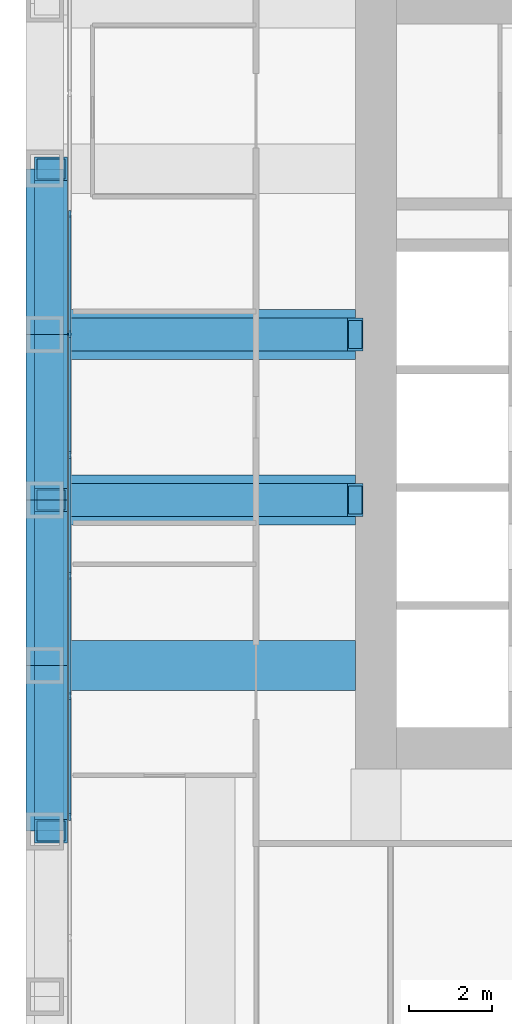
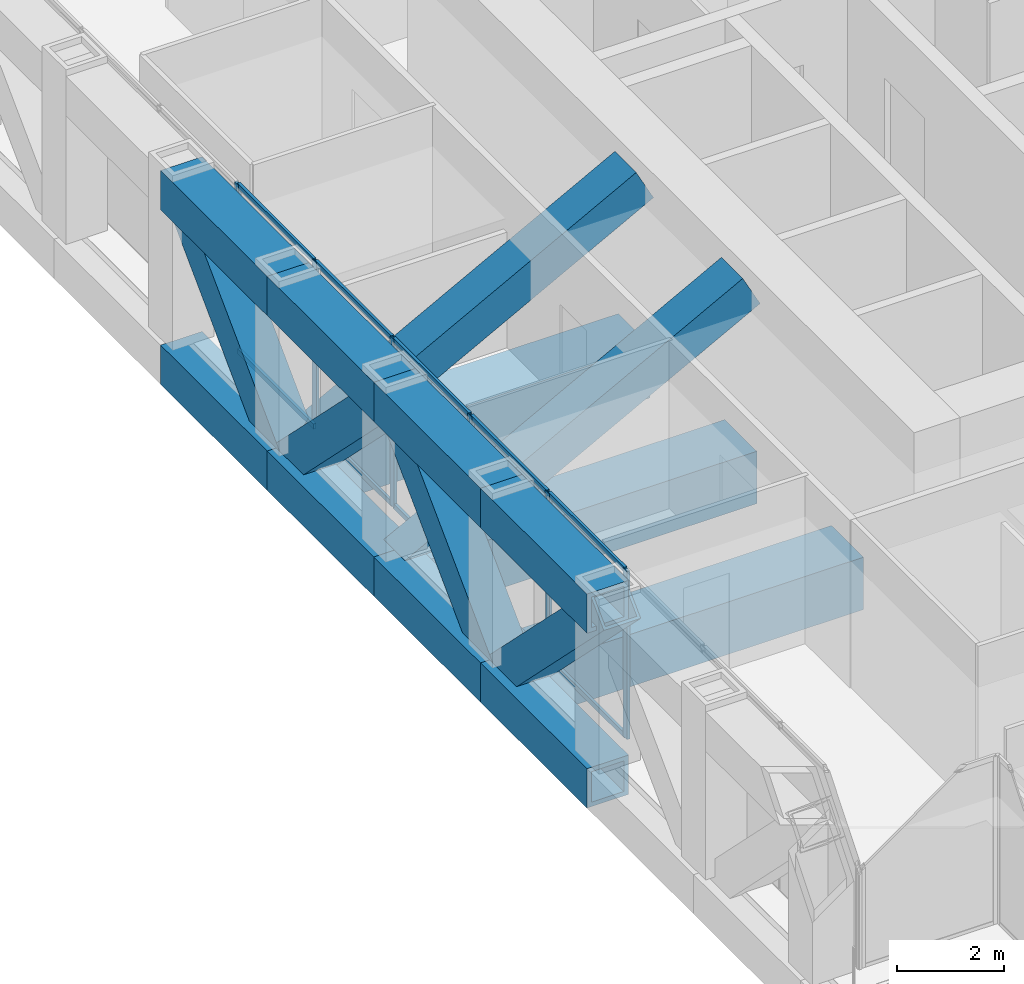
# One storey, part 4 of 18: 22 members, 11 beams, 1 element without a shape of its own.
"""IFC4 building model written with IfcOpenShell, lengths in metres."""

from ifc_helpers import new_model, si_unit, direction, frame, origin, origin_2d, place, context, subcontext, project, spatial, rectangle, hollow_rectangle, extrude, material, material_profile, profile_set, type_object, element, aggregate, save


model = new_model("IFC4")

# Units and contexts
model_context = context("Model", 3, precision=1e-05, world=origin(), true_north=direction((0.0, 1.0)))
body_context = subcontext(model_context, "Body", "Model", "MODEL_VIEW")
ifc_project = project(units=[si_unit("LENGTHUNIT", "METRE"), si_unit("AREAUNIT", "SQUARE_METRE"), si_unit("VOLUMEUNIT", "CUBIC_METRE"), si_unit("PLANEANGLEUNIT", "RADIAN"), si_unit("MASSUNIT", "GRAM", prefix="KILO")], contexts=[model_context])

# Site, building, storey
site_placement = place(None, origin())
site = spatial("IfcSite", under=ifc_project, at=site_placement, CompositionType="ELEMENT")
building_placement = place(site_placement, origin())
building = spatial("IfcBuilding", under=site, at=building_placement, Name="Rimbunsela Tower", CompositionType="ELEMENT")
storey_placement = place(building_placement, frame((0.0, 0.0, 105.39990234375)))
storey = spatial("IfcBuildingStorey", under=building, at=storey_placement, Name="L25", CompositionType="ELEMENT", Elevation=105.39990234375)

# Beams
ifc_material_1 = material(Name="Steel BJ 55 (fy 410 MPa)", Category="steel")
ifc_material_profile_1 = material_profile(ifc_material_1, hollow_rectangle(XDim=1.199951171875, YDim=1.199951171875, WallThickness=0.125, at=origin_2d()), Name="BOX 1200x1200x125")
ifc_profile_set_1 = profile_set([ifc_material_profile_1], Name="Steel BJ 55 (fy 410 MPa)")
beam_type_1 = type_object("IfcBeamType", Name="Beam BOX 1200x1200x125", PredefinedType="BEAM", material=ifc_profile_set_1)
for number, where, z_axis, x_axis, name in (
    (1, (10.0, 20.0, -0.75), (1.0, 0.0, 0.0), (0.0, 1.0, 0.0), "Beam B4 L25"),
    (2, (10.0, 24.0, -0.75), (1.0, 0.0, 0.0), (0.0, 1.0, 0.0), "Beam B4 L25"),
    (3, (10.0, 28.0, -0.75), (1.0, 0.0, 0.0), (0.0, 1.0, 0.0), "Beam B4 L25"),
):
    element("IfcBeam", number, at=place(storey_placement, frame(where, z_axis=z_axis, x_axis=x_axis)), inside=storey, type_object=beam_type_1, Name=name, PredefinedType="BEAM", context=body_context, shape_type="SweptSolid", body=[
        extrude(hollow_rectangle(XDim=1.199951171875, YDim=1.199951171875, WallThickness=0.125, at=origin_2d()), origin(), (0.0, 0.0, 1.0), 7.5),
    ])

# Curtain wall, members
ifc_material_2 = material(Name="Aluminium curtain wall", Category="aluminium")
curtain_wall_type = type_object("IfcCurtainWallType", Name="Exoskeleton storey infill", PredefinedType="USERDEFINED", material=ifc_material_2)
curtain_wall_placement = place(storey_placement, origin())
curtain_wall = element("IfcCurtainWall", 4, at=curtain_wall_placement, inside=storey, type_object=curtain_wall_type, Name="Exoskeleton storey infill L25", ObjectType="EXOSKELETON STOREY INFILL", PredefinedType="USERDEFINED")
ifc_material_3 = material(Name="Aluminium mullion", Category="aluminium")
ifc_material_profile_2 = material_profile(ifc_material_3, rectangle(XDim=0.06005859375, YDim=0.159912109375, at=origin_2d()), Name="Mullion 60x160")
ifc_profile_set_2 = profile_set([ifc_material_profile_2], Name="Aluminium mullion")
member_type_1 = type_object("IfcMemberType", Name="Curtain wall mullion 60x160", PredefinedType="MULLION", material=ifc_profile_set_2)
member_1_placement = place(storey_placement, frame((10.60009765625, 30.914306640625, 0.0), z_axis=(0.0, 0.0, 1.0), x_axis=(1.0, 0.0, 0.0)))
member_1 = element("IfcMember", 5, at=member_1_placement, type_object=member_type_1, Name="CW2 mullion 7", PredefinedType="MULLION", context=body_context, shape_type="SweptSolid", body=[
    extrude(rectangle(XDim=0.06005859375, YDim=0.159912109375, at=origin_2d()), origin(), (0.0, 0.0, 1.0), 3.85009765625),
])
member_2_placement = place(storey_placement, frame((10.60009765625, 28.0, 0.0), z_axis=(0.0, 0.0, 1.0), x_axis=(1.0, 0.0, 0.0)))
member_2 = element("IfcMember", 6, at=member_2_placement, type_object=member_type_1, Name="CW2 mullion 8", PredefinedType="MULLION", context=body_context, shape_type="SweptSolid", body=[
    extrude(rectangle(XDim=0.06005859375, YDim=0.159912109375, at=origin_2d()), origin(), (0.0, 0.0, 1.0), 3.85009765625),
])
member_3_placement = place(storey_placement, frame((10.60009765625, 25.085693359375, 0.0), z_axis=(0.0, 0.0, 1.0), x_axis=(1.0, 0.0, 0.0)))
member_3 = element("IfcMember", 7, at=member_3_placement, type_object=member_type_1, Name="CW2 mullion 9", PredefinedType="MULLION", context=body_context, shape_type="SweptSolid", body=[
    extrude(rectangle(XDim=0.06005859375, YDim=0.159912109375, at=origin_2d()), origin(), (0.0, 0.0, 1.0), 3.85009765625),
])
member_4_placement = place(storey_placement, frame((10.60009765625, 22.17138671875, 0.0), z_axis=(0.0, 0.0, 1.0), x_axis=(1.0, 0.0, 0.0)))
member_4 = element("IfcMember", 8, at=member_4_placement, type_object=member_type_1, Name="CW2 mullion 10", PredefinedType="MULLION", context=body_context, shape_type="SweptSolid", body=[
    extrude(rectangle(XDim=0.06005859375, YDim=0.159912109375, at=origin_2d()), origin(), (0.0, 0.0, 1.0), 3.85009765625),
])
member_5_placement = place(storey_placement, frame((10.60009765625, 19.257080078125, 0.0), z_axis=(0.0, 0.0, 1.0), x_axis=(1.0, 0.0, 0.0)))
member_5 = element("IfcMember", 9, at=member_5_placement, type_object=member_type_1, Name="CW2 mullion 11", PredefinedType="MULLION", context=body_context, shape_type="SweptSolid", body=[
    extrude(rectangle(XDim=0.06005859375, YDim=0.159912109375, at=origin_2d()), origin(), (0.0, 0.0, 1.0), 3.85009765625),
])
member_6_placement = place(storey_placement, frame((10.60009765625, 16.3427734375, 0.0), z_axis=(0.0, 0.0, 1.0), x_axis=(1.0, 0.0, 0.0)))
member_6 = element("IfcMember", 10, at=member_6_placement, type_object=member_type_1, Name="CW2 mullion 12", PredefinedType="MULLION", context=body_context, shape_type="SweptSolid", body=[
    extrude(rectangle(XDim=0.06005859375, YDim=0.159912109375, at=origin_2d()), origin(), (0.0, 0.0, 1.0), 3.85009765625),
])
ifc_material_4 = material(Name="Aluminium transom", Category="aluminium")
ifc_material_profile_3 = material_profile(ifc_material_4, rectangle(XDim=0.06005859375, YDim=0.1201171875, at=origin_2d()), Name="Transom 60x120")
ifc_profile_set_3 = profile_set([ifc_material_profile_3], Name="Aluminium transom")
member_type_2 = type_object("IfcMemberType", Name="Curtain wall transom 60x120", PredefinedType="USERDEFINED", material=ifc_profile_set_3)
member_7_placement = place(storey_placement, frame((10.60009765625, 30.88427734375, 0.030029296875), z_axis=(0.0, -1.0, 0.0), x_axis=(1.0, 0.0, 0.0)))
member_7 = element("IfcMember", 11, at=member_7_placement, type_object=member_type_2, Name="CW2 transom 7.1", ObjectType="TRANSOM", PredefinedType="USERDEFINED", context=body_context, shape_type="SweptSolid", body=[
    extrude(rectangle(XDim=0.06005859375, YDim=0.1201171875, at=origin_2d()), origin(), (0.0, 0.0, 1.0), 2.854248046875),
])
member_8_placement = place(storey_placement, frame((10.60009765625, 30.88427734375, 3.820068359375), z_axis=(0.0, -1.0, 0.0), x_axis=(1.0, 0.0, 0.0)))
member_8 = element("IfcMember", 12, at=member_8_placement, type_object=member_type_2, Name="CW2 transom 7.2", ObjectType="TRANSOM", PredefinedType="USERDEFINED", context=body_context, shape_type="SweptSolid", body=[
    extrude(rectangle(XDim=0.06005859375, YDim=0.1201171875, at=origin_2d()), origin(), (0.0, 0.0, 1.0), 2.854248046875),
])
member_9_placement = place(storey_placement, frame((10.60009765625, 27.969970703125, 0.030029296875), z_axis=(0.0, -1.0, 0.0), x_axis=(1.0, 0.0, 0.0)))
member_9 = element("IfcMember", 13, at=member_9_placement, type_object=member_type_2, Name="CW2 transom 8.1", ObjectType="TRANSOM", PredefinedType="USERDEFINED", context=body_context, shape_type="SweptSolid", body=[
    extrude(rectangle(XDim=0.06005859375, YDim=0.1201171875, at=origin_2d()), origin(), (0.0, 0.0, 1.0), 2.854248046875),
])
member_10_placement = place(storey_placement, frame((10.60009765625, 27.969970703125, 3.820068359375), z_axis=(0.0, -1.0, 0.0), x_axis=(1.0, 0.0, 0.0)))
member_10 = element("IfcMember", 14, at=member_10_placement, type_object=member_type_2, Name="CW2 transom 8.2", ObjectType="TRANSOM", PredefinedType="USERDEFINED", context=body_context, shape_type="SweptSolid", body=[
    extrude(rectangle(XDim=0.06005859375, YDim=0.1201171875, at=origin_2d()), origin(), (0.0, 0.0, 1.0), 2.854248046875),
])
member_11_placement = place(storey_placement, frame((10.60009765625, 25.0556640625, 0.030029296875), z_axis=(0.0, -1.0, 0.0), x_axis=(1.0, 0.0, 0.0)))
member_11 = element("IfcMember", 15, at=member_11_placement, type_object=member_type_2, Name="CW2 transom 9.1", ObjectType="TRANSOM", PredefinedType="USERDEFINED", context=body_context, shape_type="SweptSolid", body=[
    extrude(rectangle(XDim=0.06005859375, YDim=0.1201171875, at=origin_2d()), origin(), (0.0, 0.0, 1.0), 2.854248046875),
])
member_12_placement = place(storey_placement, frame((10.60009765625, 25.0556640625, 3.820068359375), z_axis=(0.0, -1.0, 0.0), x_axis=(1.0, 0.0, 0.0)))
member_12 = element("IfcMember", 16, at=member_12_placement, type_object=member_type_2, Name="CW2 transom 9.2", ObjectType="TRANSOM", PredefinedType="USERDEFINED", context=body_context, shape_type="SweptSolid", body=[
    extrude(rectangle(XDim=0.06005859375, YDim=0.1201171875, at=origin_2d()), origin(), (0.0, 0.0, 1.0), 2.854248046875),
])
member_13_placement = place(storey_placement, frame((10.60009765625, 22.141357421875, 0.030029296875), z_axis=(0.0, -1.0, 0.0), x_axis=(1.0, 0.0, 0.0)))
member_13 = element("IfcMember", 17, at=member_13_placement, type_object=member_type_2, Name="CW2 transom 10.1", ObjectType="TRANSOM", PredefinedType="USERDEFINED", context=body_context, shape_type="SweptSolid", body=[
    extrude(rectangle(XDim=0.06005859375, YDim=0.1201171875, at=origin_2d()), origin(), (0.0, 0.0, 1.0), 2.854248046875),
])
member_14_placement = place(storey_placement, frame((10.60009765625, 22.141357421875, 3.820068359375), z_axis=(0.0, -1.0, 0.0), x_axis=(1.0, 0.0, 0.0)))
member_14 = element("IfcMember", 18, at=member_14_placement, type_object=member_type_2, Name="CW2 transom 10.2", ObjectType="TRANSOM", PredefinedType="USERDEFINED", context=body_context, shape_type="SweptSolid", body=[
    extrude(rectangle(XDim=0.06005859375, YDim=0.1201171875, at=origin_2d()), origin(), (0.0, 0.0, 1.0), 2.854248046875),
])
member_15_placement = place(storey_placement, frame((10.60009765625, 19.22705078125, 0.030029296875), z_axis=(0.0, -1.0, 0.0), x_axis=(1.0, 0.0, 0.0)))
member_15 = element("IfcMember", 19, at=member_15_placement, type_object=member_type_2, Name="CW2 transom 11.1", ObjectType="TRANSOM", PredefinedType="USERDEFINED", context=body_context, shape_type="SweptSolid", body=[
    extrude(rectangle(XDim=0.06005859375, YDim=0.1201171875, at=origin_2d()), origin(), (0.0, 0.0, 1.0), 2.854248046875),
])
member_16_placement = place(storey_placement, frame((10.60009765625, 19.22705078125, 3.820068359375), z_axis=(0.0, -1.0, 0.0), x_axis=(1.0, 0.0, 0.0)))
member_16 = element("IfcMember", 20, at=member_16_placement, type_object=member_type_2, Name="CW2 transom 11.2", ObjectType="TRANSOM", PredefinedType="USERDEFINED", context=body_context, shape_type="SweptSolid", body=[
    extrude(rectangle(XDim=0.06005859375, YDim=0.1201171875, at=origin_2d()), origin(), (0.0, 0.0, 1.0), 2.854248046875),
])
aggregate(curtain_wall, [member_1, member_2, member_3, member_4, member_5, member_6, member_7, member_8, member_9, member_10, member_11, member_12, member_13, member_14, member_15, member_16])

# Members
ifc_material_5 = material(Name="Steel BJ 55 (fy 410 MPa)", Category="steel")
ifc_material_profile_4 = material_profile(ifc_material_5, hollow_rectangle(XDim=0.800048828125, YDim=0.800048828125, WallThickness=0.06005859375, at=origin_2d()), Name="BOX 800x800x60")
ifc_profile_set_4 = profile_set([ifc_material_profile_4], Name="Steel BJ 55 (fy 410 MPa)")
member_type_3 = type_object("IfcMemberType", Name="Outrigger brace BOX 800x800x60", PredefinedType="BRACE", material=ifc_profile_set_4)
for number, where, z_axis, x_axis, name in (
    (21, (10.0, 28.0, -0.599853515625), (0.882352941176, 0.0, 0.470588235294), (0.0, 1.0, 0.0), "Outrigger brace OB1 W L25"),
    (22, (10.0, 24.0, -0.599853515625), (0.882352941176, 0.0, 0.470588235294), (0.0, 1.0, 0.0), "Outrigger brace OB1 W L25"),
):
    element("IfcMember", number, at=place(storey_placement, frame(where, z_axis=z_axis, x_axis=x_axis)), inside=storey, type_object=member_type_3, Name=name, PredefinedType="BRACE", context=body_context, shape_type="SweptSolid", body=[
        extrude(hollow_rectangle(XDim=0.800048828125, YDim=0.800048828125, WallThickness=0.06005859375, at=origin_2d()), origin(), (0.0, 0.0, 1.0), 8.5),
    ])

# Beams
ifc_material_6 = material(Name="Steel BJ 55 (fy 410 MPa)", Category="steel")
ifc_material_profile_5 = material_profile(ifc_material_6, hollow_rectangle(XDim=0.89990234375, YDim=0.89990234375, WallThickness=0.10009765625, at=origin_2d()), Name="BOX 900x900x100")
ifc_profile_set_5 = profile_set([ifc_material_profile_5], Name="Steel BJ 55 (fy 410 MPa)")
beam_type_2 = type_object("IfcBeamType", Name="Truss chord BOX 900x900x100", PredefinedType="USERDEFINED", material=ifc_profile_set_5)
for number, where, z_axis, x_axis, name in (
    (23, (10.0, 16.0, 3.400146484375), (0.0, 1.0, 0.0), (-1.0, 0.0, 0.0), "Truss top chord TC2 W face L25"),
    (24, (10.0, 20.0, 3.400146484375), (0.0, 1.0, 0.0), (-1.0, 0.0, 0.0), "Truss top chord TC2 W face L25"),
    (25, (10.0, 24.0, 3.400146484375), (0.0, 1.0, 0.0), (-1.0, 0.0, 0.0), "Truss top chord TC2 W face L25"),
    (26, (10.0, 28.0, 3.400146484375), (0.0, 1.0, 0.0), (-1.0, 0.0, 0.0), "Truss top chord TC2 W face L25"),
    (27, (10.0, 16.0, -0.599853515625), (0.0, 1.0, 0.0), (-1.0, 0.0, 0.0), "Truss bottom chord TC2 W face L25"),
    (28, (10.0, 20.0, -0.599853515625), (0.0, 1.0, 0.0), (-1.0, 0.0, 0.0), "Truss bottom chord TC2 W face L25"),
    (29, (10.0, 24.0, -0.599853515625), (0.0, 1.0, 0.0), (-1.0, 0.0, 0.0), "Truss bottom chord TC2 W face L25"),
    (30, (10.0, 28.0, -0.599853515625), (0.0, 1.0, 0.0), (-1.0, 0.0, 0.0), "Truss bottom chord TC2 W face L25"),
):
    element("IfcBeam", number, at=place(storey_placement, frame(where, z_axis=z_axis, x_axis=x_axis)), inside=storey, type_object=beam_type_2, Name=name, ObjectType="TRUSS CHORD", PredefinedType="USERDEFINED", context=body_context, shape_type="SweptSolid", body=[
        extrude(hollow_rectangle(XDim=0.89990234375, YDim=0.89990234375, WallThickness=0.10009765625, at=origin_2d()), origin(), (0.0, 0.0, 1.0), 4.0),
    ])

# Members
ifc_material_7 = material(Name="Steel BJ 55 (fy 410 MPa)", Category="steel")
ifc_material_profile_6 = material_profile(ifc_material_7, hollow_rectangle(XDim=0.800048828125, YDim=0.800048828125, WallThickness=0.06005859375, at=origin_2d()), Name="BOX 800x800x60")
ifc_profile_set_6 = profile_set([ifc_material_profile_6], Name="Steel BJ 55 (fy 410 MPa)")
member_type_4 = type_object("IfcMemberType", Name="Truss diagonal BOX 800x800x60", PredefinedType="BRACE", material=ifc_profile_set_6)
for number, where, z_axis, x_axis, name in (
    (31, (10.14990234375, 16.0, 3.400146484375), (0.0, 0.707106781187, -0.707106781187), (-1.0, 0.0, 0.0), "Truss diagonal TD2 W face L25"),
    (32, (10.14990234375, 20.0, -0.599853515625), (0.0, 0.707106781187, 0.707106781187), (-1.0, 0.0, 0.0), "Truss diagonal TD2 W face L25"),
    (33, (10.14990234375, 24.0, 3.400146484375), (0.0, 0.707106781187, -0.707106781187), (-1.0, 0.0, 0.0), "Truss diagonal TD2 W face L25"),
    (34, (10.14990234375, 28.0, -0.599853515625), (0.0, 0.707106781187, 0.707106781187), (-1.0, 0.0, 0.0), "Truss diagonal TD2 W face L25"),
):
    element("IfcMember", number, at=place(storey_placement, frame(where, z_axis=z_axis, x_axis=x_axis)), inside=storey, type_object=member_type_4, Name=name, PredefinedType="BRACE", context=body_context, shape_type="SweptSolid", body=[
        extrude(hollow_rectangle(XDim=0.800048828125, YDim=0.800048828125, WallThickness=0.06005859375, at=origin_2d()), origin(), (0.0, 0.0, 1.0), 5.65673828125),
    ])

save(model, "model.ifc")
